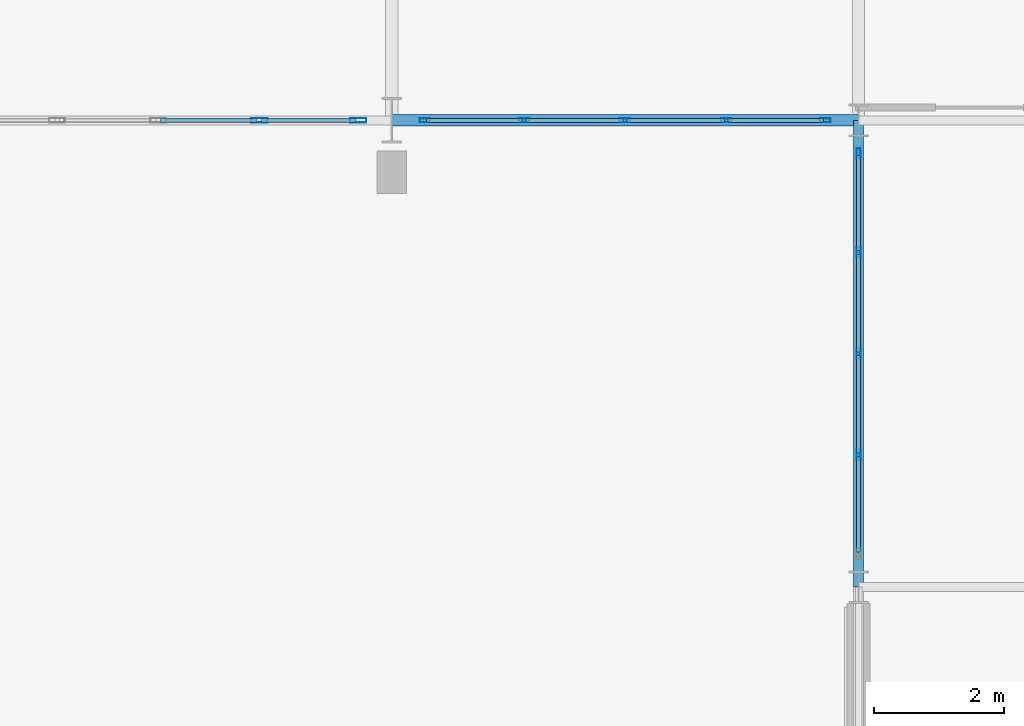
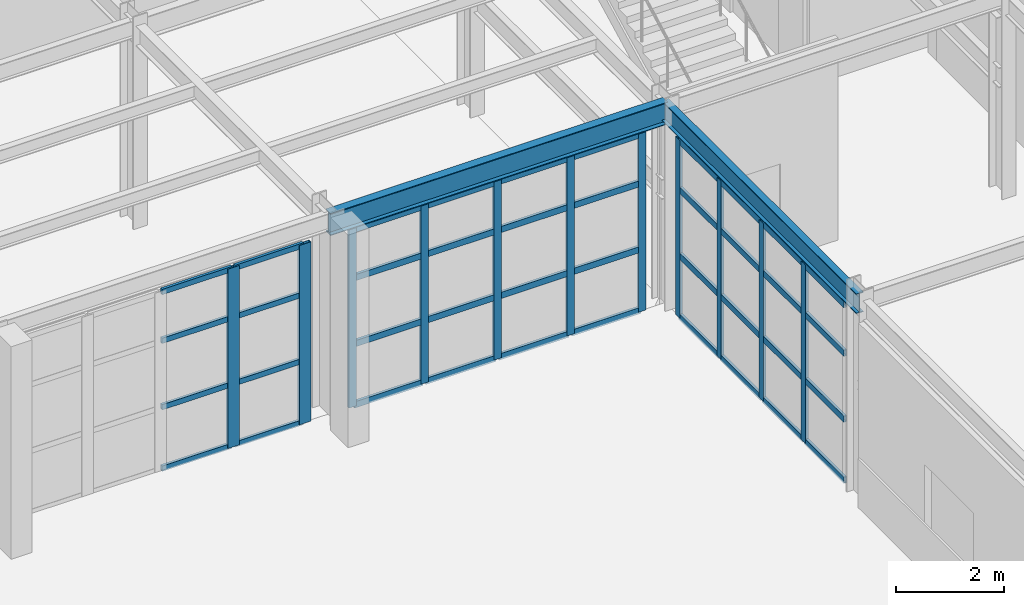
# One storey, part 32 of 83: 51 members, 2 beams, 3 elements without a shape of their own.
"""IFC4 building model written with IfcOpenShell, lengths in metres."""

from ifc_helpers import new_model, si_unit, direction, frame, origin, origin_2d, place, context, subcontext, project, spatial, hollow_rectangle, i_section, extrude, material, layer, layer_set, material_profile, profile_set, type_object, element, aggregate, save


model = new_model("IFC4")

# Units and contexts
model_context = context("Model", 3, precision=1e-05, world=origin(), true_north=direction((0.0, 1.0)))
body_context = subcontext(model_context, "Body", "Model", "MODEL_VIEW")
ifc_project = project(units=[si_unit("LENGTHUNIT", "METRE"), si_unit("AREAUNIT", "SQUARE_METRE"), si_unit("VOLUMEUNIT", "CUBIC_METRE"), si_unit("PLANEANGLEUNIT", "RADIAN"), si_unit("MASSUNIT", "GRAM", prefix="KILO")], contexts=[model_context])

# Site, building, storey
site_placement = place(None, origin())
site = spatial("IfcSite", under=ifc_project, at=site_placement, CompositionType="ELEMENT")
building_placement = place(site_placement, origin())
building = spatial("IfcBuilding", under=site, at=building_placement, Name="Solvadek Multi-Sports Hall", CompositionType="ELEMENT")
storey_placement = place(building_placement, origin())
storey = spatial("IfcBuildingStorey", under=building, at=storey_placement, Name="L00", CompositionType="ELEMENT", Elevation=0.0)

# Curtain wall, members
ifc_material_1 = material(Name="Anodised aluminium", Category="aluminium")
ifc_layer_1 = layer(ifc_material_1, 0.159912109375, Name="Anodised aluminium")
ifc_layer_set_1 = layer_set([ifc_layer_1], Name="Anodised aluminium")
curtain_wall_type_1 = type_object("IfcCurtainWallType", Name="ENV-CW-624X403", PredefinedType="USERDEFINED", material=ifc_layer_set_1)
curtain_wall_1_placement = place(storey_placement, origin())
curtain_wall_1 = element("IfcCurtainWall", 1, at=curtain_wall_1_placement, inside=storey, type_object=curtain_wall_type_1, Name="L00 Perimeter Bay Curtain Wall #177", ObjectType="CURTAIN WALL", PredefinedType="USERDEFINED")
ifc_material_profile_1 = material_profile(ifc_material_1, hollow_rectangle(XDim=0.06005859375, YDim=0.159912109375, WallThickness=0.00390625, at=origin_2d()), Name="ALU-M 160x60x4")
ifc_profile_set_1 = profile_set([ifc_material_profile_1], Name="Anodised aluminium")
member_type_1 = type_object("IfcMemberType", Name="ENV-CWM-01", PredefinedType="MULLION", material=ifc_profile_set_1)
member_1_placement = place(storey_placement, frame((50.909912109375, 49.199951171875, 0.0), z_axis=(0.0, 0.0, 1.0), x_axis=(0.0, 1.0, 0.0)))
member_1 = element("IfcMember", 2, at=member_1_placement, type_object=member_type_1, Name="CW-43 mullion 1", PredefinedType="MULLION", context=body_context, shape_type="SweptSolid", body=[
    extrude(hollow_rectangle(XDim=0.06005859375, YDim=0.159912109375, WallThickness=0.00390625, at=origin_2d()), origin(), (0.0, 0.0, 1.0), 4.02490234375),
])
member_2_placement = place(storey_placement, frame((52.43994140625, 49.199951171875, 0.0), z_axis=(0.0, 0.0, 1.0), x_axis=(0.0, 1.0, 0.0)))
member_2 = element("IfcMember", 3, at=member_2_placement, type_object=member_type_1, Name="CW-43 mullion 2", PredefinedType="MULLION", context=body_context, shape_type="SweptSolid", body=[
    extrude(hollow_rectangle(XDim=0.06005859375, YDim=0.159912109375, WallThickness=0.00390625, at=origin_2d()), origin(), (0.0, 0.0, 1.0), 4.02490234375),
])
member_3_placement = place(storey_placement, frame((54.0, 49.199951171875, 0.0), z_axis=(0.0, 0.0, 1.0), x_axis=(0.0, 1.0, 0.0)))
member_3 = element("IfcMember", 4, at=member_3_placement, type_object=member_type_1, Name="CW-43 mullion 3", PredefinedType="MULLION", context=body_context, shape_type="SweptSolid", body=[
    extrude(hollow_rectangle(XDim=0.06005859375, YDim=0.159912109375, WallThickness=0.00390625, at=origin_2d()), origin(), (0.0, 0.0, 1.0), 4.02490234375),
])
member_4_placement = place(storey_placement, frame((55.56005859375, 49.199951171875, 0.0), z_axis=(0.0, 0.0, 1.0), x_axis=(0.0, 1.0, 0.0)))
member_4 = element("IfcMember", 5, at=member_4_placement, type_object=member_type_1, Name="CW-43 mullion 4", PredefinedType="MULLION", context=body_context, shape_type="SweptSolid", body=[
    extrude(hollow_rectangle(XDim=0.06005859375, YDim=0.159912109375, WallThickness=0.00390625, at=origin_2d()), origin(), (0.0, 0.0, 1.0), 4.02490234375),
])
member_5_placement = place(storey_placement, frame((57.090087890625, 49.199951171875, 0.0), z_axis=(0.0, 0.0, 1.0), x_axis=(0.0, 1.0, 0.0)))
member_5 = element("IfcMember", 6, at=member_5_placement, type_object=member_type_1, Name="CW-43 mullion 5", PredefinedType="MULLION", context=body_context, shape_type="SweptSolid", body=[
    extrude(hollow_rectangle(XDim=0.06005859375, YDim=0.159912109375, WallThickness=0.00390625, at=origin_2d()), origin(), (0.0, 0.0, 1.0), 4.02490234375),
])

curtain_wall_2_placement = place(storey_placement, origin())
curtain_wall_2 = element("IfcCurtainWall", 7, at=curtain_wall_2_placement, inside=storey, type_object=curtain_wall_type_1, Name="L00 Perimeter Bay Curtain Wall #200", ObjectType="CURTAIN WALL", PredefinedType="USERDEFINED")
member_6_placement = place(storey_placement, frame((57.60009765625, 44.0400390625, 0.0), z_axis=(0.0, 0.0, 1.0), x_axis=(-1.0, 0.0, 0.0)))
member_6 = element("IfcMember", 8, at=member_6_placement, type_object=member_type_1, Name="CW-43 mullion 2", PredefinedType="MULLION", context=body_context, shape_type="SweptSolid", body=[
    extrude(hollow_rectangle(XDim=0.06005859375, YDim=0.159912109375, WallThickness=0.00390625, at=origin_2d()), origin(), (0.0, 0.0, 1.0), 4.02490234375),
])
member_7_placement = place(storey_placement, frame((57.60009765625, 45.60009765625, 0.0), z_axis=(0.0, 0.0, 1.0), x_axis=(-1.0, 0.0, 0.0)))
member_7 = element("IfcMember", 9, at=member_7_placement, type_object=member_type_1, Name="CW-43 mullion 3", PredefinedType="MULLION", context=body_context, shape_type="SweptSolid", body=[
    extrude(hollow_rectangle(XDim=0.06005859375, YDim=0.159912109375, WallThickness=0.00390625, at=origin_2d()), origin(), (0.0, 0.0, 1.0), 4.02490234375),
])
member_8_placement = place(storey_placement, frame((57.60009765625, 47.159912109375, 0.0), z_axis=(0.0, 0.0, 1.0), x_axis=(-1.0, 0.0, 0.0)))
member_8 = element("IfcMember", 10, at=member_8_placement, type_object=member_type_1, Name="CW-43 mullion 4", PredefinedType="MULLION", context=body_context, shape_type="SweptSolid", body=[
    extrude(hollow_rectangle(XDim=0.06005859375, YDim=0.159912109375, WallThickness=0.00390625, at=origin_2d()), origin(), (0.0, 0.0, 1.0), 4.02490234375),
])
member_9_placement = place(storey_placement, frame((57.60009765625, 48.68994140625, 0.0), z_axis=(0.0, 0.0, 1.0), x_axis=(-1.0, 0.0, 0.0)))
member_9 = element("IfcMember", 11, at=member_9_placement, type_object=member_type_1, Name="CW-43 mullion 5", PredefinedType="MULLION", context=body_context, shape_type="SweptSolid", body=[
    extrude(hollow_rectangle(XDim=0.06005859375, YDim=0.159912109375, WallThickness=0.00390625, at=origin_2d()), origin(), (0.0, 0.0, 1.0), 4.02490234375),
])

ifc_layer_2 = layer(ifc_material_1, 0.159912109375, Name="Anodised aluminium")
ifc_layer_set_2 = layer_set([ifc_layer_2], Name="Anodised aluminium")
curtain_wall_type_2 = type_object("IfcCurtainWallType", Name="ENV-CW-624X405", PredefinedType="USERDEFINED", material=ifc_layer_set_2)
curtain_wall_3_placement = place(storey_placement, origin())
curtain_wall_3 = element("IfcCurtainWall", 12, at=curtain_wall_3_placement, inside=storey, type_object=curtain_wall_type_2, Name="L00 Perimeter Bay Curtain Wall #171", ObjectType="CURTAIN WALL", PredefinedType="USERDEFINED")
ifc_material_profile_2 = material_profile(ifc_material_1, hollow_rectangle(XDim=0.070068359375, YDim=0.25, WallThickness=0.0048828125, at=origin_2d()), Name="ALU-M 250x70x5")
ifc_profile_set_2 = profile_set([ifc_material_profile_2], Name="Anodised aluminium")
member_type_2 = type_object("IfcMemberType", Name="ENV-CWM-05", PredefinedType="MULLION", material=ifc_profile_set_2)
member_10_placement = place(storey_placement, frame((48.360107421875, 49.199951171875, 0.0), z_axis=(0.0, 0.0, 1.0), x_axis=(0.0, 1.0, 0.0)))
member_10 = element("IfcMember", 13, at=member_10_placement, type_object=member_type_2, Name="CW-52 mullion 4", PredefinedType="MULLION", context=body_context, shape_type="SweptSolid", body=[
    extrude(hollow_rectangle(XDim=0.070068359375, YDim=0.25, WallThickness=0.0048828125, at=origin_2d()), origin(), (0.0, 0.0, 1.0), 4.050048828125),
])
member_11_placement = place(storey_placement, frame((49.885009765625, 49.199951171875, 0.0), z_axis=(0.0, 0.0, 1.0), x_axis=(0.0, 1.0, 0.0)))
member_11 = element("IfcMember", 14, at=member_11_placement, type_object=member_type_2, Name="CW-52 mullion 5", PredefinedType="MULLION", context=body_context, shape_type="SweptSolid", body=[
    extrude(hollow_rectangle(XDim=0.070068359375, YDim=0.25, WallThickness=0.0048828125, at=origin_2d()), origin(), (0.0, 0.0, 1.0), 4.050048828125),
])
ifc_material_profile_3 = material_profile(ifc_material_1, hollow_rectangle(XDim=0.06005859375, YDim=0.1201171875, WallThickness=0.00390625, at=origin_2d()), Name="ALU-T 120x60x4")
ifc_profile_set_3 = profile_set([ifc_material_profile_3], Name="Anodised aluminium")
member_type_3 = type_object("IfcMemberType", Name="ENV-CWT-01", PredefinedType="USERDEFINED", material=ifc_profile_set_3)
member_12_placement = place(storey_placement, frame((46.8349609375, 49.199951171875, 0.030029296875), z_axis=(1.0, 0.0, 0.0), x_axis=(0.0, 1.0, 0.0)))
member_12 = element("IfcMember", 15, at=member_12_placement, type_object=member_type_3, Name="CW-52 transom 3.1", ObjectType="TRANSOM", PredefinedType="USERDEFINED", context=body_context, shape_type="SweptSolid", body=[
    extrude(hollow_rectangle(XDim=0.06005859375, YDim=0.1201171875, WallThickness=0.00390625, at=origin_2d()), origin(), (0.0, 0.0, 1.0), 1.489990234375),
])
member_13_placement = place(storey_placement, frame((46.8349609375, 49.199951171875, 1.4169921875), z_axis=(1.0, 0.0, 0.0), x_axis=(0.0, 1.0, 0.0)))
member_13 = element("IfcMember", 16, at=member_13_placement, type_object=member_type_3, Name="CW-52 transom 3.2", ObjectType="TRANSOM", PredefinedType="USERDEFINED", context=body_context, shape_type="SweptSolid", body=[
    extrude(hollow_rectangle(XDim=0.06005859375, YDim=0.1201171875, WallThickness=0.00390625, at=origin_2d()), origin(), (0.0, 0.0, 1.0), 1.489990234375),
])
member_14_placement = place(storey_placement, frame((46.8349609375, 49.199951171875, 2.916015625), z_axis=(1.0, 0.0, 0.0), x_axis=(0.0, 1.0, 0.0)))
member_14 = element("IfcMember", 17, at=member_14_placement, type_object=member_type_3, Name="CW-52 transom 3.3", ObjectType="TRANSOM", PredefinedType="USERDEFINED", context=body_context, shape_type="SweptSolid", body=[
    extrude(hollow_rectangle(XDim=0.06005859375, YDim=0.1201171875, WallThickness=0.00390625, at=origin_2d()), origin(), (0.0, 0.0, 1.0), 1.489990234375),
])
member_15_placement = place(storey_placement, frame((46.8349609375, 49.199951171875, 4.02001953125), z_axis=(1.0, 0.0, 0.0), x_axis=(0.0, 1.0, 0.0)))
member_15 = element("IfcMember", 18, at=member_15_placement, type_object=member_type_3, Name="CW-52 transom 3.4", ObjectType="TRANSOM", PredefinedType="USERDEFINED", context=body_context, shape_type="SweptSolid", body=[
    extrude(hollow_rectangle(XDim=0.06005859375, YDim=0.1201171875, WallThickness=0.00390625, at=origin_2d()), origin(), (0.0, 0.0, 1.0), 1.489990234375),
])
member_16_placement = place(storey_placement, frame((48.39501953125, 49.199951171875, 0.030029296875), z_axis=(1.0, 0.0, 0.0), x_axis=(0.0, 1.0, 0.0)))
member_16 = element("IfcMember", 19, at=member_16_placement, type_object=member_type_3, Name="CW-52 transom 4.1", ObjectType="TRANSOM", PredefinedType="USERDEFINED", context=body_context, shape_type="SweptSolid", body=[
    extrude(hollow_rectangle(XDim=0.06005859375, YDim=0.1201171875, WallThickness=0.00390625, at=origin_2d()), origin(), (0.0, 0.0, 1.0), 1.455078125),
])
member_17_placement = place(storey_placement, frame((48.39501953125, 49.199951171875, 1.4169921875), z_axis=(1.0, 0.0, 0.0), x_axis=(0.0, 1.0, 0.0)))
member_17 = element("IfcMember", 20, at=member_17_placement, type_object=member_type_3, Name="CW-52 transom 4.2", ObjectType="TRANSOM", PredefinedType="USERDEFINED", context=body_context, shape_type="SweptSolid", body=[
    extrude(hollow_rectangle(XDim=0.06005859375, YDim=0.1201171875, WallThickness=0.00390625, at=origin_2d()), origin(), (0.0, 0.0, 1.0), 1.455078125),
])
member_18_placement = place(storey_placement, frame((48.39501953125, 49.199951171875, 2.916015625), z_axis=(1.0, 0.0, 0.0), x_axis=(0.0, 1.0, 0.0)))
member_18 = element("IfcMember", 21, at=member_18_placement, type_object=member_type_3, Name="CW-52 transom 4.3", ObjectType="TRANSOM", PredefinedType="USERDEFINED", context=body_context, shape_type="SweptSolid", body=[
    extrude(hollow_rectangle(XDim=0.06005859375, YDim=0.1201171875, WallThickness=0.00390625, at=origin_2d()), origin(), (0.0, 0.0, 1.0), 1.455078125),
])
member_19_placement = place(storey_placement, frame((48.39501953125, 49.199951171875, 4.02001953125), z_axis=(1.0, 0.0, 0.0), x_axis=(0.0, 1.0, 0.0)))
member_19 = element("IfcMember", 22, at=member_19_placement, type_object=member_type_3, Name="CW-52 transom 4.4", ObjectType="TRANSOM", PredefinedType="USERDEFINED", context=body_context, shape_type="SweptSolid", body=[
    extrude(hollow_rectangle(XDim=0.06005859375, YDim=0.1201171875, WallThickness=0.00390625, at=origin_2d()), origin(), (0.0, 0.0, 1.0), 1.455078125),
])
aggregate(curtain_wall_3, [member_10, member_11, member_12, member_13, member_14, member_15, member_16, member_17, member_18, member_19])

# Member
ifc_material_profile_4 = material_profile(ifc_material_1, hollow_rectangle(XDim=0.06005859375, YDim=0.139892578125, WallThickness=0.00390625, at=origin_2d()), Name="ALU-T 140x60x4")
ifc_profile_set_4 = profile_set([ifc_material_profile_4], Name="Anodised aluminium")
member_type_4 = type_object("IfcMemberType", Name="ENV-CWT-02", PredefinedType="USERDEFINED", material=ifc_profile_set_4)
member_20_placement = place(storey_placement, frame((50.93994140625, 49.199951171875, 0.030029296875), z_axis=(1.0, 0.0, 0.0), x_axis=(0.0, 1.0, 0.0)))
member_20 = element("IfcMember", 23, at=member_20_placement, type_object=member_type_4, Name="CW-43 transom 1.1", ObjectType="TRANSOM", PredefinedType="USERDEFINED", context=body_context, shape_type="SweptSolid", body=[
    extrude(hollow_rectangle(XDim=0.06005859375, YDim=0.139892578125, WallThickness=0.00390625, at=origin_2d()), origin(), (0.0, 0.0, 1.0), 1.469970703125),
])

member_21_placement = place(storey_placement, frame((50.93994140625, 49.199951171875, 1.408935546875), z_axis=(1.0, 0.0, 0.0), x_axis=(0.0, 1.0, 0.0)))
member_21 = element("IfcMember", 24, at=member_21_placement, type_object=member_type_4, Name="CW-43 transom 1.2", ObjectType="TRANSOM", PredefinedType="USERDEFINED", context=body_context, shape_type="SweptSolid", body=[
    extrude(hollow_rectangle(XDim=0.06005859375, YDim=0.139892578125, WallThickness=0.00390625, at=origin_2d()), origin(), (0.0, 0.0, 1.0), 1.469970703125),
])

member_22_placement = place(storey_placement, frame((50.93994140625, 49.199951171875, 2.89794921875), z_axis=(1.0, 0.0, 0.0), x_axis=(0.0, 1.0, 0.0)))
member_22 = element("IfcMember", 25, at=member_22_placement, type_object=member_type_4, Name="CW-43 transom 1.3", ObjectType="TRANSOM", PredefinedType="USERDEFINED", context=body_context, shape_type="SweptSolid", body=[
    extrude(hollow_rectangle(XDim=0.06005859375, YDim=0.139892578125, WallThickness=0.00390625, at=origin_2d()), origin(), (0.0, 0.0, 1.0), 1.469970703125),
])

member_23_placement = place(storey_placement, frame((50.93994140625, 49.199951171875, 3.9951171875), z_axis=(1.0, 0.0, 0.0), x_axis=(0.0, 1.0, 0.0)))
member_23 = element("IfcMember", 26, at=member_23_placement, type_object=member_type_4, Name="CW-43 transom 1.4", ObjectType="TRANSOM", PredefinedType="USERDEFINED", context=body_context, shape_type="SweptSolid", body=[
    extrude(hollow_rectangle(XDim=0.06005859375, YDim=0.139892578125, WallThickness=0.00390625, at=origin_2d()), origin(), (0.0, 0.0, 1.0), 1.469970703125),
])

member_24_placement = place(storey_placement, frame((52.469970703125, 49.199951171875, 0.030029296875), z_axis=(1.0, 0.0, 0.0), x_axis=(0.0, 1.0, 0.0)))
member_24 = element("IfcMember", 27, at=member_24_placement, type_object=member_type_4, Name="CW-43 transom 2.1", ObjectType="TRANSOM", PredefinedType="USERDEFINED", context=body_context, shape_type="SweptSolid", body=[
    extrude(hollow_rectangle(XDim=0.06005859375, YDim=0.139892578125, WallThickness=0.00390625, at=origin_2d()), origin(), (0.0, 0.0, 1.0), 1.5),
])

member_25_placement = place(storey_placement, frame((52.469970703125, 49.199951171875, 1.408935546875), z_axis=(1.0, 0.0, 0.0), x_axis=(0.0, 1.0, 0.0)))
member_25 = element("IfcMember", 28, at=member_25_placement, type_object=member_type_4, Name="CW-43 transom 2.2", ObjectType="TRANSOM", PredefinedType="USERDEFINED", context=body_context, shape_type="SweptSolid", body=[
    extrude(hollow_rectangle(XDim=0.06005859375, YDim=0.139892578125, WallThickness=0.00390625, at=origin_2d()), origin(), (0.0, 0.0, 1.0), 1.5),
])

member_26_placement = place(storey_placement, frame((52.469970703125, 49.199951171875, 2.89794921875), z_axis=(1.0, 0.0, 0.0), x_axis=(0.0, 1.0, 0.0)))
member_26 = element("IfcMember", 29, at=member_26_placement, type_object=member_type_4, Name="CW-43 transom 2.3", ObjectType="TRANSOM", PredefinedType="USERDEFINED", context=body_context, shape_type="SweptSolid", body=[
    extrude(hollow_rectangle(XDim=0.06005859375, YDim=0.139892578125, WallThickness=0.00390625, at=origin_2d()), origin(), (0.0, 0.0, 1.0), 1.5),
])

member_27_placement = place(storey_placement, frame((52.469970703125, 49.199951171875, 3.9951171875), z_axis=(1.0, 0.0, 0.0), x_axis=(0.0, 1.0, 0.0)))
member_27 = element("IfcMember", 30, at=member_27_placement, type_object=member_type_4, Name="CW-43 transom 2.4", ObjectType="TRANSOM", PredefinedType="USERDEFINED", context=body_context, shape_type="SweptSolid", body=[
    extrude(hollow_rectangle(XDim=0.06005859375, YDim=0.139892578125, WallThickness=0.00390625, at=origin_2d()), origin(), (0.0, 0.0, 1.0), 1.5),
])

member_28_placement = place(storey_placement, frame((54.030029296875, 49.199951171875, 0.030029296875), z_axis=(1.0, 0.0, 0.0), x_axis=(0.0, 1.0, 0.0)))
member_28 = element("IfcMember", 31, at=member_28_placement, type_object=member_type_4, Name="CW-43 transom 3.1", ObjectType="TRANSOM", PredefinedType="USERDEFINED", context=body_context, shape_type="SweptSolid", body=[
    extrude(hollow_rectangle(XDim=0.06005859375, YDim=0.139892578125, WallThickness=0.00390625, at=origin_2d()), origin(), (0.0, 0.0, 1.0), 1.5),
])

member_29_placement = place(storey_placement, frame((54.030029296875, 49.199951171875, 1.408935546875), z_axis=(1.0, 0.0, 0.0), x_axis=(0.0, 1.0, 0.0)))
member_29 = element("IfcMember", 32, at=member_29_placement, type_object=member_type_4, Name="CW-43 transom 3.2", ObjectType="TRANSOM", PredefinedType="USERDEFINED", context=body_context, shape_type="SweptSolid", body=[
    extrude(hollow_rectangle(XDim=0.06005859375, YDim=0.139892578125, WallThickness=0.00390625, at=origin_2d()), origin(), (0.0, 0.0, 1.0), 1.5),
])

member_30_placement = place(storey_placement, frame((54.030029296875, 49.199951171875, 2.89794921875), z_axis=(1.0, 0.0, 0.0), x_axis=(0.0, 1.0, 0.0)))
member_30 = element("IfcMember", 33, at=member_30_placement, type_object=member_type_4, Name="CW-43 transom 3.3", ObjectType="TRANSOM", PredefinedType="USERDEFINED", context=body_context, shape_type="SweptSolid", body=[
    extrude(hollow_rectangle(XDim=0.06005859375, YDim=0.139892578125, WallThickness=0.00390625, at=origin_2d()), origin(), (0.0, 0.0, 1.0), 1.5),
])

member_31_placement = place(storey_placement, frame((54.030029296875, 49.199951171875, 3.9951171875), z_axis=(1.0, 0.0, 0.0), x_axis=(0.0, 1.0, 0.0)))
member_31 = element("IfcMember", 34, at=member_31_placement, type_object=member_type_4, Name="CW-43 transom 3.4", ObjectType="TRANSOM", PredefinedType="USERDEFINED", context=body_context, shape_type="SweptSolid", body=[
    extrude(hollow_rectangle(XDim=0.06005859375, YDim=0.139892578125, WallThickness=0.00390625, at=origin_2d()), origin(), (0.0, 0.0, 1.0), 1.5),
])

member_32_placement = place(storey_placement, frame((55.590087890625, 49.199951171875, 0.030029296875), z_axis=(1.0, 0.0, 0.0), x_axis=(0.0, 1.0, 0.0)))
member_32 = element("IfcMember", 35, at=member_32_placement, type_object=member_type_4, Name="CW-43 transom 4.1", ObjectType="TRANSOM", PredefinedType="USERDEFINED", context=body_context, shape_type="SweptSolid", body=[
    extrude(hollow_rectangle(XDim=0.06005859375, YDim=0.139892578125, WallThickness=0.00390625, at=origin_2d()), origin(), (0.0, 0.0, 1.0), 1.469970703125),
])

member_33_placement = place(storey_placement, frame((55.590087890625, 49.199951171875, 1.408935546875), z_axis=(1.0, 0.0, 0.0), x_axis=(0.0, 1.0, 0.0)))
member_33 = element("IfcMember", 36, at=member_33_placement, type_object=member_type_4, Name="CW-43 transom 4.2", ObjectType="TRANSOM", PredefinedType="USERDEFINED", context=body_context, shape_type="SweptSolid", body=[
    extrude(hollow_rectangle(XDim=0.06005859375, YDim=0.139892578125, WallThickness=0.00390625, at=origin_2d()), origin(), (0.0, 0.0, 1.0), 1.469970703125),
])

member_34_placement = place(storey_placement, frame((55.590087890625, 49.199951171875, 2.89794921875), z_axis=(1.0, 0.0, 0.0), x_axis=(0.0, 1.0, 0.0)))
member_34 = element("IfcMember", 37, at=member_34_placement, type_object=member_type_4, Name="CW-43 transom 4.3", ObjectType="TRANSOM", PredefinedType="USERDEFINED", context=body_context, shape_type="SweptSolid", body=[
    extrude(hollow_rectangle(XDim=0.06005859375, YDim=0.139892578125, WallThickness=0.00390625, at=origin_2d()), origin(), (0.0, 0.0, 1.0), 1.469970703125),
])

member_35_placement = place(storey_placement, frame((55.590087890625, 49.199951171875, 3.9951171875), z_axis=(1.0, 0.0, 0.0), x_axis=(0.0, 1.0, 0.0)))
member_35 = element("IfcMember", 38, at=member_35_placement, type_object=member_type_4, Name="CW-43 transom 4.4", ObjectType="TRANSOM", PredefinedType="USERDEFINED", context=body_context, shape_type="SweptSolid", body=[
    extrude(hollow_rectangle(XDim=0.06005859375, YDim=0.139892578125, WallThickness=0.00390625, at=origin_2d()), origin(), (0.0, 0.0, 1.0), 1.469970703125),
])

aggregate(curtain_wall_1, [member_1, member_2, member_3, member_4, member_5, member_20, member_21, member_22, member_23, member_24, member_25, member_26, member_27, member_28, member_29, member_30, member_31, member_32, member_33, member_34, member_35])

member_36_placement = place(storey_placement, frame((57.60009765625, 42.5400390625, 0.030029296875), z_axis=(0.0, 1.0, 0.0), x_axis=(-1.0, 0.0, 0.0)))
member_36 = element("IfcMember", 39, at=member_36_placement, type_object=member_type_4, Name="CW-43 transom 1.1", ObjectType="TRANSOM", PredefinedType="USERDEFINED", context=body_context, shape_type="SweptSolid", body=[
    extrude(hollow_rectangle(XDim=0.06005859375, YDim=0.139892578125, WallThickness=0.00390625, at=origin_2d()), origin(), (0.0, 0.0, 1.0), 1.469970703125),
])

member_37_placement = place(storey_placement, frame((57.60009765625, 42.5400390625, 1.408935546875), z_axis=(0.0, 1.0, 0.0), x_axis=(-1.0, 0.0, 0.0)))
member_37 = element("IfcMember", 40, at=member_37_placement, type_object=member_type_4, Name="CW-43 transom 1.2", ObjectType="TRANSOM", PredefinedType="USERDEFINED", context=body_context, shape_type="SweptSolid", body=[
    extrude(hollow_rectangle(XDim=0.06005859375, YDim=0.139892578125, WallThickness=0.00390625, at=origin_2d()), origin(), (0.0, 0.0, 1.0), 1.469970703125),
])

member_38_placement = place(storey_placement, frame((57.60009765625, 42.5400390625, 2.89794921875), z_axis=(0.0, 1.0, 0.0), x_axis=(-1.0, 0.0, 0.0)))
member_38 = element("IfcMember", 41, at=member_38_placement, type_object=member_type_4, Name="CW-43 transom 1.3", ObjectType="TRANSOM", PredefinedType="USERDEFINED", context=body_context, shape_type="SweptSolid", body=[
    extrude(hollow_rectangle(XDim=0.06005859375, YDim=0.139892578125, WallThickness=0.00390625, at=origin_2d()), origin(), (0.0, 0.0, 1.0), 1.469970703125),
])

member_39_placement = place(storey_placement, frame((57.60009765625, 42.5400390625, 3.9951171875), z_axis=(0.0, 1.0, 0.0), x_axis=(-1.0, 0.0, 0.0)))
member_39 = element("IfcMember", 42, at=member_39_placement, type_object=member_type_4, Name="CW-43 transom 1.4", ObjectType="TRANSOM", PredefinedType="USERDEFINED", context=body_context, shape_type="SweptSolid", body=[
    extrude(hollow_rectangle(XDim=0.06005859375, YDim=0.139892578125, WallThickness=0.00390625, at=origin_2d()), origin(), (0.0, 0.0, 1.0), 1.469970703125),
])

member_40_placement = place(storey_placement, frame((57.60009765625, 44.070068359375, 0.030029296875), z_axis=(0.0, 1.0, 0.0), x_axis=(-1.0, 0.0, 0.0)))
member_40 = element("IfcMember", 43, at=member_40_placement, type_object=member_type_4, Name="CW-43 transom 2.1", ObjectType="TRANSOM", PredefinedType="USERDEFINED", context=body_context, shape_type="SweptSolid", body=[
    extrude(hollow_rectangle(XDim=0.06005859375, YDim=0.139892578125, WallThickness=0.00390625, at=origin_2d()), origin(), (0.0, 0.0, 1.0), 1.5),
])

member_41_placement = place(storey_placement, frame((57.60009765625, 44.070068359375, 1.408935546875), z_axis=(0.0, 1.0, 0.0), x_axis=(-1.0, 0.0, 0.0)))
member_41 = element("IfcMember", 44, at=member_41_placement, type_object=member_type_4, Name="CW-43 transom 2.2", ObjectType="TRANSOM", PredefinedType="USERDEFINED", context=body_context, shape_type="SweptSolid", body=[
    extrude(hollow_rectangle(XDim=0.06005859375, YDim=0.139892578125, WallThickness=0.00390625, at=origin_2d()), origin(), (0.0, 0.0, 1.0), 1.5),
])

member_42_placement = place(storey_placement, frame((57.60009765625, 44.070068359375, 2.89794921875), z_axis=(0.0, 1.0, 0.0), x_axis=(-1.0, 0.0, 0.0)))
member_42 = element("IfcMember", 45, at=member_42_placement, type_object=member_type_4, Name="CW-43 transom 2.3", ObjectType="TRANSOM", PredefinedType="USERDEFINED", context=body_context, shape_type="SweptSolid", body=[
    extrude(hollow_rectangle(XDim=0.06005859375, YDim=0.139892578125, WallThickness=0.00390625, at=origin_2d()), origin(), (0.0, 0.0, 1.0), 1.5),
])

member_43_placement = place(storey_placement, frame((57.60009765625, 44.070068359375, 3.9951171875), z_axis=(0.0, 1.0, 0.0), x_axis=(-1.0, 0.0, 0.0)))
member_43 = element("IfcMember", 46, at=member_43_placement, type_object=member_type_4, Name="CW-43 transom 2.4", ObjectType="TRANSOM", PredefinedType="USERDEFINED", context=body_context, shape_type="SweptSolid", body=[
    extrude(hollow_rectangle(XDim=0.06005859375, YDim=0.139892578125, WallThickness=0.00390625, at=origin_2d()), origin(), (0.0, 0.0, 1.0), 1.5),
])

member_44_placement = place(storey_placement, frame((57.60009765625, 45.6298828125, 0.030029296875), z_axis=(0.0, 1.0, 0.0), x_axis=(-1.0, 0.0, 0.0)))
member_44 = element("IfcMember", 47, at=member_44_placement, type_object=member_type_4, Name="CW-43 transom 3.1", ObjectType="TRANSOM", PredefinedType="USERDEFINED", context=body_context, shape_type="SweptSolid", body=[
    extrude(hollow_rectangle(XDim=0.06005859375, YDim=0.139892578125, WallThickness=0.00390625, at=origin_2d()), origin(), (0.0, 0.0, 1.0), 1.5),
])

member_45_placement = place(storey_placement, frame((57.60009765625, 45.6298828125, 1.408935546875), z_axis=(0.0, 1.0, 0.0), x_axis=(-1.0, 0.0, 0.0)))
member_45 = element("IfcMember", 48, at=member_45_placement, type_object=member_type_4, Name="CW-43 transom 3.2", ObjectType="TRANSOM", PredefinedType="USERDEFINED", context=body_context, shape_type="SweptSolid", body=[
    extrude(hollow_rectangle(XDim=0.06005859375, YDim=0.139892578125, WallThickness=0.00390625, at=origin_2d()), origin(), (0.0, 0.0, 1.0), 1.5),
])

member_46_placement = place(storey_placement, frame((57.60009765625, 45.6298828125, 2.89794921875), z_axis=(0.0, 1.0, 0.0), x_axis=(-1.0, 0.0, 0.0)))
member_46 = element("IfcMember", 49, at=member_46_placement, type_object=member_type_4, Name="CW-43 transom 3.3", ObjectType="TRANSOM", PredefinedType="USERDEFINED", context=body_context, shape_type="SweptSolid", body=[
    extrude(hollow_rectangle(XDim=0.06005859375, YDim=0.139892578125, WallThickness=0.00390625, at=origin_2d()), origin(), (0.0, 0.0, 1.0), 1.5),
])

member_47_placement = place(storey_placement, frame((57.60009765625, 45.6298828125, 3.9951171875), z_axis=(0.0, 1.0, 0.0), x_axis=(-1.0, 0.0, 0.0)))
member_47 = element("IfcMember", 50, at=member_47_placement, type_object=member_type_4, Name="CW-43 transom 3.4", ObjectType="TRANSOM", PredefinedType="USERDEFINED", context=body_context, shape_type="SweptSolid", body=[
    extrude(hollow_rectangle(XDim=0.06005859375, YDim=0.139892578125, WallThickness=0.00390625, at=origin_2d()), origin(), (0.0, 0.0, 1.0), 1.5),
])

member_48_placement = place(storey_placement, frame((57.60009765625, 47.18994140625, 0.030029296875), z_axis=(0.0, 1.0, 0.0), x_axis=(-1.0, 0.0, 0.0)))
member_48 = element("IfcMember", 51, at=member_48_placement, type_object=member_type_4, Name="CW-43 transom 4.1", ObjectType="TRANSOM", PredefinedType="USERDEFINED", context=body_context, shape_type="SweptSolid", body=[
    extrude(hollow_rectangle(XDim=0.06005859375, YDim=0.139892578125, WallThickness=0.00390625, at=origin_2d()), origin(), (0.0, 0.0, 1.0), 1.469970703125),
])

member_49_placement = place(storey_placement, frame((57.60009765625, 47.18994140625, 1.408935546875), z_axis=(0.0, 1.0, 0.0), x_axis=(-1.0, 0.0, 0.0)))
member_49 = element("IfcMember", 52, at=member_49_placement, type_object=member_type_4, Name="CW-43 transom 4.2", ObjectType="TRANSOM", PredefinedType="USERDEFINED", context=body_context, shape_type="SweptSolid", body=[
    extrude(hollow_rectangle(XDim=0.06005859375, YDim=0.139892578125, WallThickness=0.00390625, at=origin_2d()), origin(), (0.0, 0.0, 1.0), 1.469970703125),
])

member_50_placement = place(storey_placement, frame((57.60009765625, 47.18994140625, 2.89794921875), z_axis=(0.0, 1.0, 0.0), x_axis=(-1.0, 0.0, 0.0)))
member_50 = element("IfcMember", 53, at=member_50_placement, type_object=member_type_4, Name="CW-43 transom 4.3", ObjectType="TRANSOM", PredefinedType="USERDEFINED", context=body_context, shape_type="SweptSolid", body=[
    extrude(hollow_rectangle(XDim=0.06005859375, YDim=0.139892578125, WallThickness=0.00390625, at=origin_2d()), origin(), (0.0, 0.0, 1.0), 1.469970703125),
])

member_51_placement = place(storey_placement, frame((57.60009765625, 47.18994140625, 3.9951171875), z_axis=(0.0, 1.0, 0.0), x_axis=(-1.0, 0.0, 0.0)))
member_51 = element("IfcMember", 54, at=member_51_placement, type_object=member_type_4, Name="CW-43 transom 4.4", ObjectType="TRANSOM", PredefinedType="USERDEFINED", context=body_context, shape_type="SweptSolid", body=[
    extrude(hollow_rectangle(XDim=0.06005859375, YDim=0.139892578125, WallThickness=0.00390625, at=origin_2d()), origin(), (0.0, 0.0, 1.0), 1.469970703125),
])

aggregate(curtain_wall_2, [member_6, member_7, member_8, member_9, member_36, member_37, member_38, member_39, member_40, member_41, member_42, member_43, member_44, member_45, member_46, member_47, member_48, member_49, member_50, member_51])

# Beams
ifc_material_2 = material(Name="Steel E350 (350 MPa)", Category="steel")
ifc_material_profile_5 = material_profile(ifc_material_2, i_section(OverallWidth=0.14990234375, OverallDepth=0.449951171875, WebThickness=0.009521484375, FlangeThickness=0.017333984375, at=origin_2d()), Name="ISMB 450")
ifc_profile_set_5 = profile_set([ifc_material_profile_5], Name="Steel E350 (350 MPa)")
beam_type_1 = type_object("IfcBeamType", Name="STR-BM-ISMB450", PredefinedType="BEAM", material=ifc_profile_set_5)
beam_1_placement = place(storey_placement, frame((57.60009765625, 42.0, 4.35498046875), z_axis=(0.0, 1.0, 0.0), x_axis=(-1.0, 0.0, 0.0)))
element("IfcBeam", 55, at=beam_1_placement, inside=storey, type_object=beam_type_1, Name="L00 Girder B-09 #827", PredefinedType="BEAM", context=body_context, shape_type="SweptSolid", body=[
    extrude(i_section(OverallWidth=0.14990234375, OverallDepth=0.449951171875, WebThickness=0.009521484375, FlangeThickness=0.017333984375, at=origin_2d()), origin(), (0.0, 0.0, 1.0), 7.199951171875),
])
ifc_material_profile_6 = material_profile(ifc_material_2, i_section(OverallWidth=0.179931640625, OverallDepth=0.5, WebThickness=0.01025390625, FlangeThickness=0.01708984375, at=origin_2d()), Name="ISMB 500")
ifc_profile_set_6 = profile_set([ifc_material_profile_6], Name="Steel E350 (350 MPa)")
beam_type_2 = type_object("IfcBeamType", Name="STR-BM-ISMB500", PredefinedType="BEAM", material=ifc_profile_set_6)
beam_2_placement = place(storey_placement, frame((50.39990234375, 49.199951171875, 4.330078125), z_axis=(1.0, 0.0, 0.0), x_axis=(0.0, 1.0, 0.0)))
element("IfcBeam", 56, at=beam_2_placement, inside=storey, type_object=beam_type_2, Name="L00 Girder B-07 #610", PredefinedType="BEAM", context=body_context, shape_type="SweptSolid", body=[
    extrude(i_section(OverallWidth=0.179931640625, OverallDepth=0.5, WebThickness=0.01025390625, FlangeThickness=0.01708984375, at=origin_2d()), origin(), (0.0, 0.0, 1.0), 7.2001953125),
])

save(model, "model.ifc")
